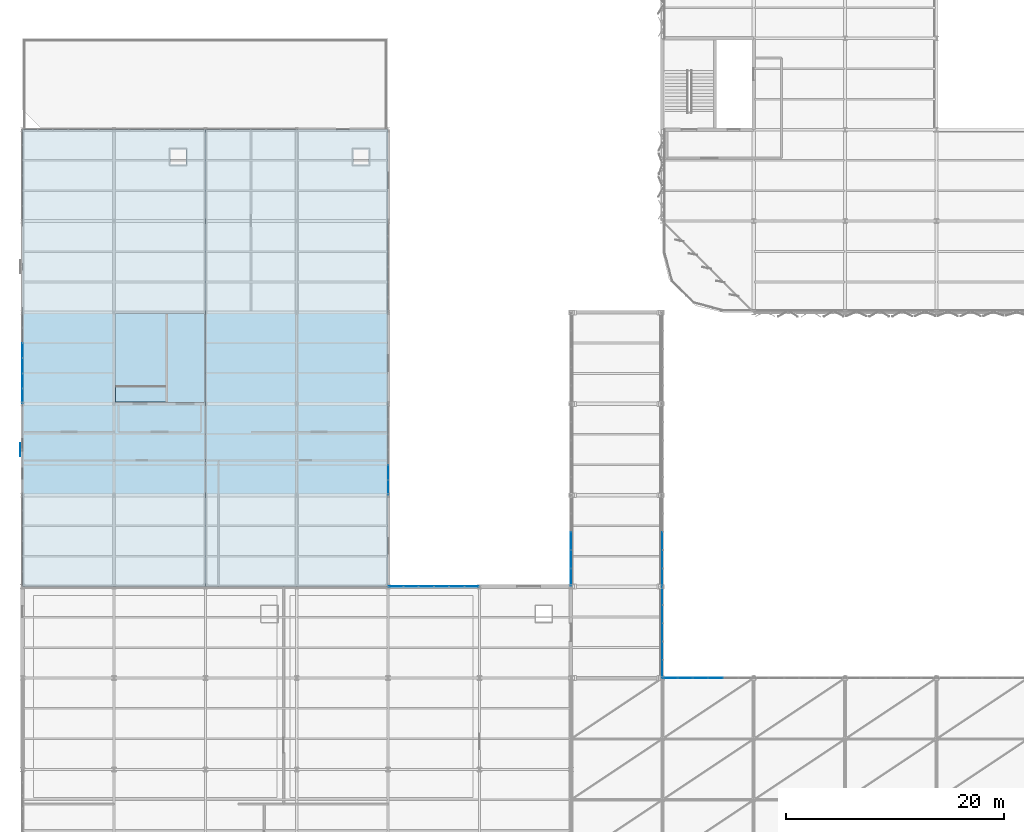
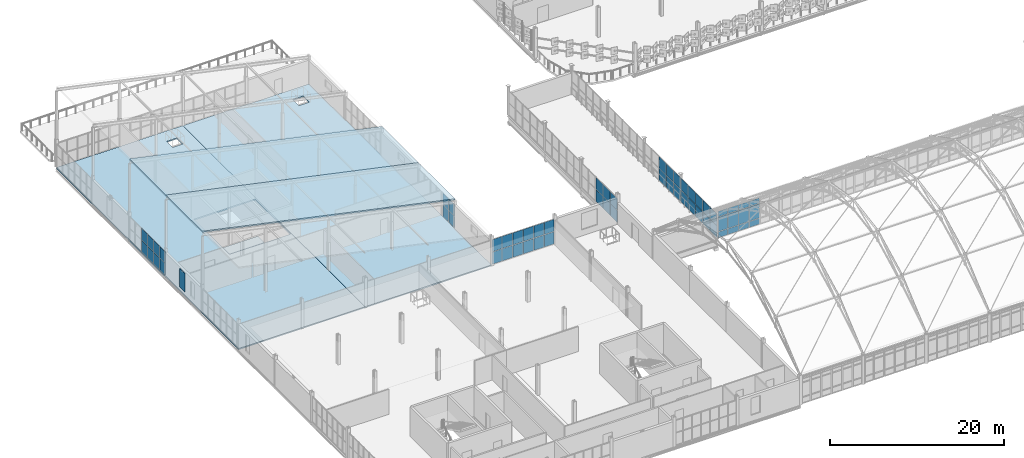
# One storey, part 136 of 184: 59 plates, 5 slabs, 7 elements without a shape of their own.
"""IFC4 building model written with IfcOpenShell, lengths in metres."""

from ifc_helpers import new_model, si_unit, direction, frame, origin, origin_2d, place, context, subcontext, project, spatial, polyline, rectangle, outline, extrude, material, layer, layer_set, type_object, element, aggregate, save


model = new_model("IFC4")

# Units and contexts
model_context = context("Model", 3, precision=1e-05, world=origin(), true_north=direction((0.0, 1.0)))
body_context = subcontext(model_context, "Body", "Model", "MODEL_VIEW")
ifc_project = project(units=[si_unit("LENGTHUNIT", "METRE"), si_unit("AREAUNIT", "SQUARE_METRE"), si_unit("VOLUMEUNIT", "CUBIC_METRE"), si_unit("PLANEANGLEUNIT", "RADIAN"), si_unit("MASSUNIT", "GRAM", prefix="KILO")], contexts=[model_context])

# Site, building, storey
site_placement = place(None, origin())
site = spatial("IfcSite", under=ifc_project, at=site_placement, CompositionType="ELEMENT")
building_placement = place(site_placement, origin())
building = spatial("IfcBuilding", under=site, at=building_placement, Name="Qalvenar Corner Mobility Hub", CompositionType="ELEMENT")
storey_placement = place(building_placement, frame((0.0, 0.0, 9.0)))
storey = spatial("IfcBuildingStorey", under=building, at=storey_placement, Name="L02", CompositionType="ELEMENT", Elevation=9.0)

# Curtain wall, plates
ifc_material_1 = material(Name="Anodised Aluminium and Low-E Glazing", Category="aluminium")
ifc_layer_1 = layer(ifc_material_1, 0.14990234375)
ifc_layer_set_1 = layer_set([ifc_layer_1], Name="Anodised Aluminium and Low-E Glazing")
curtain_wall_type_1 = type_object("IfcCurtainWallType", Name="CW-CIV-84X40", PredefinedType="NOTDEFINED", material=ifc_layer_set_1)
curtain_wall_1_placement = place(storey_placement, origin())
curtain_wall_1 = element("IfcCurtainWall", 1, at=curtain_wall_1_placement, inside=storey, type_object=curtain_wall_type_1, Name="Glazed Curtain Wall CW-V3-L02-N4", PredefinedType="NOTDEFINED")
ifc_material_2 = material(Name="Solar-Control Low-E Double Glazing", Category="glass")
ifc_layer_2 = layer(ifc_material_2, 0.028076171875)
ifc_layer_set_2 = layer_set([ifc_layer_2], Name="Solar-Control Low-E Double Glazing")
plate_type_1 = type_object("IfcPlateType", Name="PLT-CWP-GLZ1", PredefinedType="CURTAIN_PANEL", material=ifc_layer_set_2)
plate_1_placement = place(storey_placement, frame((41.284912109375, 42.0, 0.05517578125), z_axis=(0.0, 0.0, 1.0), x_axis=(-1.0, 0.0, 0.0)))
plate_1 = element("IfcPlate", 2, at=plate_1_placement, type_object=plate_type_1, Name="CW-05 panel 1.1", PredefinedType="CURTAIN_PANEL", context=body_context, shape_type="SweptSolid", body=[
    extrude(rectangle(XDim=1.31005859375, YDim=0.028076171875, at=origin_2d()), origin(), (0.0, 0.0, 1.0), 1.702392578125),
])
plate_2_placement = place(storey_placement, frame((41.284912109375, 42.0, 1.8125), z_axis=(0.0, 0.0, 1.0), x_axis=(-1.0, 0.0, 0.0)))
plate_2 = element("IfcPlate", 3, at=plate_2_placement, type_object=plate_type_1, Name="CW-05 panel 1.2", PredefinedType="CURTAIN_PANEL", context=body_context, shape_type="SweptSolid", body=[
    extrude(rectangle(XDim=1.31005859375, YDim=0.028076171875, at=origin_2d()), origin(), (0.0, 0.0, 1.0), 1.702392578125),
])
plate_3_placement = place(storey_placement, frame((39.89990234375, 42.0, 0.05517578125), z_axis=(0.0, 0.0, 1.0), x_axis=(-1.0, 0.0, 0.0)))
plate_3 = element("IfcPlate", 4, at=plate_3_placement, type_object=plate_type_1, Name="CW-05 panel 2.1", PredefinedType="CURTAIN_PANEL", context=body_context, shape_type="SweptSolid", body=[
    extrude(rectangle(XDim=1.340087890625, YDim=0.028076171875, at=origin_2d()), origin(), (0.0, 0.0, 1.0), 1.702392578125),
])
plate_4_placement = place(storey_placement, frame((39.89990234375, 42.0, 1.8125), z_axis=(0.0, 0.0, 1.0), x_axis=(-1.0, 0.0, 0.0)))
plate_4 = element("IfcPlate", 5, at=plate_4_placement, type_object=plate_type_1, Name="CW-05 panel 2.2", PredefinedType="CURTAIN_PANEL", context=body_context, shape_type="SweptSolid", body=[
    extrude(rectangle(XDim=1.340087890625, YDim=0.028076171875, at=origin_2d()), origin(), (0.0, 0.0, 1.0), 1.702392578125),
])
plate_5_placement = place(storey_placement, frame((38.5, 42.0, 0.05517578125), z_axis=(0.0, 0.0, 1.0), x_axis=(-1.0, 0.0, 0.0)))
plate_5 = element("IfcPlate", 6, at=plate_5_placement, type_object=plate_type_1, Name="CW-05 panel 3.1", PredefinedType="CURTAIN_PANEL", context=body_context, shape_type="SweptSolid", body=[
    extrude(rectangle(XDim=1.340087890625, YDim=0.028076171875, at=origin_2d()), origin(), (0.0, 0.0, 1.0), 1.702392578125),
])
plate_6_placement = place(storey_placement, frame((38.5, 42.0, 1.8125), z_axis=(0.0, 0.0, 1.0), x_axis=(-1.0, 0.0, 0.0)))
plate_6 = element("IfcPlate", 7, at=plate_6_placement, type_object=plate_type_1, Name="CW-05 panel 3.2", PredefinedType="CURTAIN_PANEL", context=body_context, shape_type="SweptSolid", body=[
    extrude(rectangle(XDim=1.340087890625, YDim=0.028076171875, at=origin_2d()), origin(), (0.0, 0.0, 1.0), 1.702392578125),
])
plate_7_placement = place(storey_placement, frame((37.10009765625, 42.0, 0.05517578125), z_axis=(0.0, 0.0, 1.0), x_axis=(-1.0, 0.0, 0.0)))
plate_7 = element("IfcPlate", 8, at=plate_7_placement, type_object=plate_type_1, Name="CW-05 panel 4.1", PredefinedType="CURTAIN_PANEL", context=body_context, shape_type="SweptSolid", body=[
    extrude(rectangle(XDim=1.340087890625, YDim=0.028076171875, at=origin_2d()), origin(), (0.0, 0.0, 1.0), 1.702392578125),
])
plate_8_placement = place(storey_placement, frame((37.10009765625, 42.0, 1.8125), z_axis=(0.0, 0.0, 1.0), x_axis=(-1.0, 0.0, 0.0)))
plate_8 = element("IfcPlate", 9, at=plate_8_placement, type_object=plate_type_1, Name="CW-05 panel 4.2", PredefinedType="CURTAIN_PANEL", context=body_context, shape_type="SweptSolid", body=[
    extrude(rectangle(XDim=1.340087890625, YDim=0.028076171875, at=origin_2d()), origin(), (0.0, 0.0, 1.0), 1.702392578125),
])
plate_9_placement = place(storey_placement, frame((35.699951171875, 42.0, 0.05517578125), z_axis=(0.0, 0.0, 1.0), x_axis=(-1.0, 0.0, 0.0)))
plate_9 = element("IfcPlate", 10, at=plate_9_placement, type_object=plate_type_1, Name="CW-05 panel 5.1", PredefinedType="CURTAIN_PANEL", context=body_context, shape_type="SweptSolid", body=[
    extrude(rectangle(XDim=1.340087890625, YDim=0.028076171875, at=origin_2d()), origin(), (0.0, 0.0, 1.0), 1.702392578125),
])
plate_10_placement = place(storey_placement, frame((35.699951171875, 42.0, 1.8125), z_axis=(0.0, 0.0, 1.0), x_axis=(-1.0, 0.0, 0.0)))
plate_10 = element("IfcPlate", 11, at=plate_10_placement, type_object=plate_type_1, Name="CW-05 panel 5.2", PredefinedType="CURTAIN_PANEL", context=body_context, shape_type="SweptSolid", body=[
    extrude(rectangle(XDim=1.340087890625, YDim=0.028076171875, at=origin_2d()), origin(), (0.0, 0.0, 1.0), 1.702392578125),
])
plate_11_placement = place(storey_placement, frame((34.31494140625, 42.0, 0.05517578125), z_axis=(0.0, 0.0, 1.0), x_axis=(-1.0, 0.0, 0.0)))
plate_11 = element("IfcPlate", 12, at=plate_11_placement, type_object=plate_type_1, Name="CW-05 panel 6.1", PredefinedType="CURTAIN_PANEL", context=body_context, shape_type="SweptSolid", body=[
    extrude(rectangle(XDim=1.31005859375, YDim=0.028076171875, at=origin_2d()), origin(), (0.0, 0.0, 1.0), 1.702392578125),
])
plate_12_placement = place(storey_placement, frame((34.31494140625, 42.0, 1.8125), z_axis=(0.0, 0.0, 1.0), x_axis=(-1.0, 0.0, 0.0)))
plate_12 = element("IfcPlate", 13, at=plate_12_placement, type_object=plate_type_1, Name="CW-05 panel 6.2", PredefinedType="CURTAIN_PANEL", context=body_context, shape_type="SweptSolid", body=[
    extrude(rectangle(XDim=1.31005859375, YDim=0.028076171875, at=origin_2d()), origin(), (0.0, 0.0, 1.0), 1.702392578125),
])
aggregate(curtain_wall_1, [plate_1, plate_2, plate_3, plate_4, plate_5, plate_6, plate_7, plate_8, plate_9, plate_10, plate_11, plate_12])

ifc_layer_3 = layer(ifc_material_1, 0.179931640625)
ifc_layer_set_3 = layer_set([ifc_layer_3], Name="Anodised Aluminium and Low-E Glazing")
curtain_wall_type_2 = type_object("IfcCurtainWallType", Name="CW-CONC-84X42", PredefinedType="NOTDEFINED", material=ifc_layer_set_3)
curtain_wall_2_placement = place(storey_placement, origin())
curtain_wall_2 = element("IfcCurtainWall", 14, at=curtain_wall_2_placement, inside=storey, type_object=curtain_wall_type_2, Name="Glazed Curtain Wall CW-V1-L02-N1", PredefinedType="NOTDEFINED")
plate_13_placement = place(storey_placement, frame((63.699951171875, 33.60009765625, 0.05517578125), z_axis=(0.0, 0.0, 1.0), x_axis=(-1.0, 0.0, 0.0)))
plate_13 = element("IfcPlate", 15, at=plate_13_placement, type_object=plate_type_1, Name="CW-02 panel 3.1", PredefinedType="CURTAIN_PANEL", context=body_context, shape_type="SweptSolid", body=[
    extrude(rectangle(XDim=1.340087890625, YDim=0.028076171875, at=origin_2d()), origin(), (0.0, 0.0, 1.0), 0.8173828125),
])
plate_14_placement = place(storey_placement, frame((63.699951171875, 33.60009765625, 0.927490234375), z_axis=(0.0, 0.0, 1.0), x_axis=(-1.0, 0.0, 0.0)))
plate_14 = element("IfcPlate", 16, at=plate_14_placement, type_object=plate_type_1, Name="CW-02 panel 3.2", PredefinedType="CURTAIN_PANEL", context=body_context, shape_type="SweptSolid", body=[
    extrude(rectangle(XDim=1.340087890625, YDim=0.028076171875, at=origin_2d()), origin(), (0.0, 0.0, 1.0), 1.9951171875),
])
plate_15_placement = place(storey_placement, frame((63.699951171875, 33.60009765625, 2.9775390625), z_axis=(0.0, 0.0, 1.0), x_axis=(-1.0, 0.0, 0.0)))
plate_15 = element("IfcPlate", 17, at=plate_15_placement, type_object=plate_type_1, Name="CW-02 panel 3.3", PredefinedType="CURTAIN_PANEL", context=body_context, shape_type="SweptSolid", body=[
    extrude(rectangle(XDim=1.340087890625, YDim=0.028076171875, at=origin_2d()), origin(), (0.0, 0.0, 1.0), 0.767578125),
])
plate_16_placement = place(storey_placement, frame((62.300048828125, 33.60009765625, 0.05517578125), z_axis=(0.0, 0.0, 1.0), x_axis=(-1.0, 0.0, 0.0)))
plate_16 = element("IfcPlate", 18, at=plate_16_placement, type_object=plate_type_1, Name="CW-02 panel 4.1", PredefinedType="CURTAIN_PANEL", context=body_context, shape_type="SweptSolid", body=[
    extrude(rectangle(XDim=1.340087890625, YDim=0.028076171875, at=origin_2d()), origin(), (0.0, 0.0, 1.0), 0.8173828125),
])
plate_17_placement = place(storey_placement, frame((62.300048828125, 33.60009765625, 0.927490234375), z_axis=(0.0, 0.0, 1.0), x_axis=(-1.0, 0.0, 0.0)))
plate_17 = element("IfcPlate", 19, at=plate_17_placement, type_object=plate_type_1, Name="CW-02 panel 4.2", PredefinedType="CURTAIN_PANEL", context=body_context, shape_type="SweptSolid", body=[
    extrude(rectangle(XDim=1.340087890625, YDim=0.028076171875, at=origin_2d()), origin(), (0.0, 0.0, 1.0), 1.9951171875),
])
plate_18_placement = place(storey_placement, frame((62.300048828125, 33.60009765625, 2.9775390625), z_axis=(0.0, 0.0, 1.0), x_axis=(-1.0, 0.0, 0.0)))
plate_18 = element("IfcPlate", 20, at=plate_18_placement, type_object=plate_type_1, Name="CW-02 panel 4.3", PredefinedType="CURTAIN_PANEL", context=body_context, shape_type="SweptSolid", body=[
    extrude(rectangle(XDim=1.340087890625, YDim=0.028076171875, at=origin_2d()), origin(), (0.0, 0.0, 1.0), 0.767578125),
])
plate_19_placement = place(storey_placement, frame((60.89990234375, 33.60009765625, 0.05517578125), z_axis=(0.0, 0.0, 1.0), x_axis=(-1.0, 0.0, 0.0)))
plate_19 = element("IfcPlate", 21, at=plate_19_placement, type_object=plate_type_1, Name="CW-02 panel 5.1", PredefinedType="CURTAIN_PANEL", context=body_context, shape_type="SweptSolid", body=[
    extrude(rectangle(XDim=1.340087890625, YDim=0.028076171875, at=origin_2d()), origin(), (0.0, 0.0, 1.0), 0.8173828125),
])
plate_20_placement = place(storey_placement, frame((60.89990234375, 33.60009765625, 0.927490234375), z_axis=(0.0, 0.0, 1.0), x_axis=(-1.0, 0.0, 0.0)))
plate_20 = element("IfcPlate", 22, at=plate_20_placement, type_object=plate_type_1, Name="CW-02 panel 5.2", PredefinedType="CURTAIN_PANEL", context=body_context, shape_type="SweptSolid", body=[
    extrude(rectangle(XDim=1.340087890625, YDim=0.028076171875, at=origin_2d()), origin(), (0.0, 0.0, 1.0), 1.9951171875),
])
plate_21_placement = place(storey_placement, frame((60.89990234375, 33.60009765625, 2.9775390625), z_axis=(0.0, 0.0, 1.0), x_axis=(-1.0, 0.0, 0.0)))
plate_21 = element("IfcPlate", 23, at=plate_21_placement, type_object=plate_type_1, Name="CW-02 panel 5.3", PredefinedType="CURTAIN_PANEL", context=body_context, shape_type="SweptSolid", body=[
    extrude(rectangle(XDim=1.340087890625, YDim=0.028076171875, at=origin_2d()), origin(), (0.0, 0.0, 1.0), 0.767578125),
])
plate_22_placement = place(storey_placement, frame((59.514892578125, 33.60009765625, 0.05517578125), z_axis=(0.0, 0.0, 1.0), x_axis=(-1.0, 0.0, 0.0)))
plate_22 = element("IfcPlate", 24, at=plate_22_placement, type_object=plate_type_1, Name="CW-02 panel 6.1", PredefinedType="CURTAIN_PANEL", context=body_context, shape_type="SweptSolid", body=[
    extrude(rectangle(XDim=1.31005859375, YDim=0.028076171875, at=origin_2d()), origin(), (0.0, 0.0, 1.0), 0.8173828125),
])
plate_23_placement = place(storey_placement, frame((59.514892578125, 33.60009765625, 0.927490234375), z_axis=(0.0, 0.0, 1.0), x_axis=(-1.0, 0.0, 0.0)))
plate_23 = element("IfcPlate", 25, at=plate_23_placement, type_object=plate_type_1, Name="CW-02 panel 6.2", PredefinedType="CURTAIN_PANEL", context=body_context, shape_type="SweptSolid", body=[
    extrude(rectangle(XDim=1.31005859375, YDim=0.028076171875, at=origin_2d()), origin(), (0.0, 0.0, 1.0), 1.9951171875),
])
plate_24_placement = place(storey_placement, frame((59.514892578125, 33.60009765625, 2.9775390625), z_axis=(0.0, 0.0, 1.0), x_axis=(-1.0, 0.0, 0.0)))
plate_24 = element("IfcPlate", 26, at=plate_24_placement, type_object=plate_type_1, Name="CW-02 panel 6.3", PredefinedType="CURTAIN_PANEL", context=body_context, shape_type="SweptSolid", body=[
    extrude(rectangle(XDim=1.31005859375, YDim=0.028076171875, at=origin_2d()), origin(), (0.0, 0.0, 1.0), 0.767578125),
])
aggregate(curtain_wall_2, [plate_13, plate_14, plate_15, plate_16, plate_17, plate_18, plate_19, plate_20, plate_21, plate_22, plate_23, plate_24])

ifc_layer_4 = layer(ifc_material_1, 0.14990234375)
ifc_layer_set_4 = layer_set([ifc_layer_4], Name="Anodised Aluminium and Low-E Glazing")
curtain_wall_type_3 = type_object("IfcCurtainWallType", Name="CW-CYC-84X39", PredefinedType="NOTDEFINED", material=ifc_layer_set_4)
curtain_wall_3_placement = place(storey_placement, origin())
curtain_wall_3 = element("IfcCurtainWall", 27, at=curtain_wall_3_placement, inside=storey, type_object=curtain_wall_type_3, Name="Glazed Curtain Wall CW-V5-L02-W2", PredefinedType="NOTDEFINED")
plate_25_placement = place(storey_placement, frame((0.0, 63.699951171875, 0.054931640625), z_axis=(0.0, 0.0, 1.0), x_axis=(0.0, -1.0, 0.0)))
plate_25 = element("IfcPlate", 28, at=plate_25_placement, type_object=plate_type_1, Name="CW-08 panel 3.1", PredefinedType="CURTAIN_PANEL", context=body_context, shape_type="SweptSolid", body=[
    extrude(rectangle(XDim=1.340087890625, YDim=0.028076171875, at=origin_2d()), origin(), (0.0, 0.0, 1.0), 1.62255859375),
])
plate_26_placement = place(storey_placement, frame((0.0, 63.699951171875, 1.732421875), z_axis=(0.0, 0.0, 1.0), x_axis=(0.0, -1.0, 0.0)))
plate_26 = element("IfcPlate", 29, at=plate_26_placement, type_object=plate_type_1, Name="CW-08 panel 3.2", PredefinedType="CURTAIN_PANEL", context=body_context, shape_type="SweptSolid", body=[
    extrude(rectangle(XDim=1.340087890625, YDim=0.028076171875, at=origin_2d()), origin(), (0.0, 0.0, 1.0), 1.62255859375),
])
plate_27_placement = place(storey_placement, frame((0.0, 62.300048828125, 0.054931640625), z_axis=(0.0, 0.0, 1.0), x_axis=(0.0, -1.0, 0.0)))
plate_27 = element("IfcPlate", 30, at=plate_27_placement, type_object=plate_type_1, Name="CW-08 panel 4.1", PredefinedType="CURTAIN_PANEL", context=body_context, shape_type="SweptSolid", body=[
    extrude(rectangle(XDim=1.340087890625, YDim=0.028076171875, at=origin_2d()), origin(), (0.0, 0.0, 1.0), 1.62255859375),
])
plate_28_placement = place(storey_placement, frame((0.0, 62.300048828125, 1.732421875), z_axis=(0.0, 0.0, 1.0), x_axis=(0.0, -1.0, 0.0)))
plate_28 = element("IfcPlate", 31, at=plate_28_placement, type_object=plate_type_1, Name="CW-08 panel 4.2", PredefinedType="CURTAIN_PANEL", context=body_context, shape_type="SweptSolid", body=[
    extrude(rectangle(XDim=1.340087890625, YDim=0.028076171875, at=origin_2d()), origin(), (0.0, 0.0, 1.0), 1.62255859375),
])
plate_29_placement = place(storey_placement, frame((0.0, 60.89990234375, 0.054931640625), z_axis=(0.0, 0.0, 1.0), x_axis=(0.0, -1.0, 0.0)))
plate_29 = element("IfcPlate", 32, at=plate_29_placement, type_object=plate_type_1, Name="CW-08 panel 5.1", PredefinedType="CURTAIN_PANEL", context=body_context, shape_type="SweptSolid", body=[
    extrude(rectangle(XDim=1.340087890625, YDim=0.028076171875, at=origin_2d()), origin(), (0.0, 0.0, 1.0), 1.62255859375),
])
plate_30_placement = place(storey_placement, frame((0.0, 60.89990234375, 1.732421875), z_axis=(0.0, 0.0, 1.0), x_axis=(0.0, -1.0, 0.0)))
plate_30 = element("IfcPlate", 33, at=plate_30_placement, type_object=plate_type_1, Name="CW-08 panel 5.2", PredefinedType="CURTAIN_PANEL", context=body_context, shape_type="SweptSolid", body=[
    extrude(rectangle(XDim=1.340087890625, YDim=0.028076171875, at=origin_2d()), origin(), (0.0, 0.0, 1.0), 1.62255859375),
])
plate_31_placement = place(storey_placement, frame((0.0, 59.514892578125, 0.054931640625), z_axis=(0.0, 0.0, 1.0), x_axis=(0.0, -1.0, 0.0)))
plate_31 = element("IfcPlate", 34, at=plate_31_placement, type_object=plate_type_1, Name="CW-08 panel 6.1", PredefinedType="CURTAIN_PANEL", context=body_context, shape_type="SweptSolid", body=[
    extrude(rectangle(XDim=1.31005859375, YDim=0.028076171875, at=origin_2d()), origin(), (0.0, 0.0, 1.0), 1.62255859375),
])
plate_32_placement = place(storey_placement, frame((0.0, 59.514892578125, 1.732421875), z_axis=(0.0, 0.0, 1.0), x_axis=(0.0, -1.0, 0.0)))
plate_32 = element("IfcPlate", 35, at=plate_32_placement, type_object=plate_type_1, Name="CW-08 panel 6.2", PredefinedType="CURTAIN_PANEL", context=body_context, shape_type="SweptSolid", body=[
    extrude(rectangle(XDim=1.31005859375, YDim=0.028076171875, at=origin_2d()), origin(), (0.0, 0.0, 1.0), 1.62255859375),
])
aggregate(curtain_wall_3, [plate_25, plate_26, plate_27, plate_28, plate_29, plate_30, plate_31, plate_32])

curtain_wall_4_placement = place(storey_placement, origin())
curtain_wall_4 = element("IfcCurtainWall", 36, at=curtain_wall_4_placement, inside=storey, type_object=curtain_wall_type_3, Name="Glazed Curtain Wall CW-V5-L02-E1", PredefinedType="NOTDEFINED")
plate_33_placement = place(storey_placement, frame((33.60009765625, 51.114990234375, 0.054931640625), z_axis=(0.0, 0.0, 1.0), x_axis=(0.0, 1.0, 0.0)))
plate_33 = element("IfcPlate", 37, at=plate_33_placement, type_object=plate_type_1, Name="CW-08 panel 1.1", PredefinedType="CURTAIN_PANEL", context=body_context, shape_type="SweptSolid", body=[
    extrude(rectangle(XDim=1.31005859375, YDim=0.028076171875, at=origin_2d()), origin(), (0.0, 0.0, 1.0), 1.62255859375),
])
plate_34_placement = place(storey_placement, frame((33.60009765625, 51.114990234375, 1.732421875), z_axis=(0.0, 0.0, 1.0), x_axis=(0.0, 1.0, 0.0)))
plate_34 = element("IfcPlate", 38, at=plate_34_placement, type_object=plate_type_1, Name="CW-08 panel 1.2", PredefinedType="CURTAIN_PANEL", context=body_context, shape_type="SweptSolid", body=[
    extrude(rectangle(XDim=1.31005859375, YDim=0.028076171875, at=origin_2d()), origin(), (0.0, 0.0, 1.0), 1.62255859375),
])
plate_35_placement = place(storey_placement, frame((33.60009765625, 52.5, 0.054931640625), z_axis=(0.0, 0.0, 1.0), x_axis=(0.0, 1.0, 0.0)))
plate_35 = element("IfcPlate", 39, at=plate_35_placement, type_object=plate_type_1, Name="CW-08 panel 2.1", PredefinedType="CURTAIN_PANEL", context=body_context, shape_type="SweptSolid", body=[
    extrude(rectangle(XDim=1.340087890625, YDim=0.028076171875, at=origin_2d()), origin(), (0.0, 0.0, 1.0), 1.62255859375),
])
plate_36_placement = place(storey_placement, frame((33.60009765625, 52.5, 1.732421875), z_axis=(0.0, 0.0, 1.0), x_axis=(0.0, 1.0, 0.0)))
plate_36 = element("IfcPlate", 40, at=plate_36_placement, type_object=plate_type_1, Name="CW-08 panel 2.2", PredefinedType="CURTAIN_PANEL", context=body_context, shape_type="SweptSolid", body=[
    extrude(rectangle(XDim=1.340087890625, YDim=0.028076171875, at=origin_2d()), origin(), (0.0, 0.0, 1.0), 1.62255859375),
])
aggregate(curtain_wall_4, [plate_33, plate_34, plate_35, plate_36])

ifc_layer_5 = layer(ifc_material_1, 0.1201171875)
ifc_layer_set_5 = layer_set([ifc_layer_5], Name="Anodised Aluminium and Low-E Glazing")
curtain_wall_type_4 = type_object("IfcCurtainWallType", Name="CW-BRG-84X28", PredefinedType="NOTDEFINED", material=ifc_layer_set_5)
curtain_wall_5_placement = place(storey_placement, origin())
curtain_wall_5 = element("IfcCurtainWall", 41, at=curtain_wall_5_placement, inside=storey, type_object=curtain_wall_type_4, Name="Glazed Curtain Wall CW-BRG-L02-E0", PredefinedType="NOTDEFINED")
plate_37_placement = place(storey_placement, frame((58.800048828125, 34.455078125, 0.054931640625), z_axis=(0.0, 0.0, 1.0), x_axis=(0.0, 1.0, 0.0)))
plate_37 = element("IfcPlate", 42, at=plate_37_placement, type_object=plate_type_1, Name="CW-11 panel 1.1", PredefinedType="CURTAIN_PANEL", context=body_context, shape_type="SweptSolid", body=[
    extrude(rectangle(XDim=1.590087890625, YDim=0.028076171875, at=origin_2d()), origin(), (0.0, 0.0, 1.0), 1.642578125),
])
plate_38_placement = place(storey_placement, frame((58.800048828125, 34.455078125, 1.75244140625), z_axis=(0.0, 0.0, 1.0), x_axis=(0.0, 1.0, 0.0)))
plate_38 = element("IfcPlate", 43, at=plate_38_placement, type_object=plate_type_1, Name="CW-11 panel 1.2", PredefinedType="CURTAIN_PANEL", context=body_context, shape_type="SweptSolid", body=[
    extrude(rectangle(XDim=1.590087890625, YDim=0.028076171875, at=origin_2d()), origin(), (0.0, 0.0, 1.0), 1.642578125),
])
plate_39_placement = place(storey_placement, frame((58.800048828125, 36.1201171875, 0.054931640625), z_axis=(0.0, 0.0, 1.0), x_axis=(0.0, 1.0, 0.0)))
plate_39 = element("IfcPlate", 44, at=plate_39_placement, type_object=plate_type_1, Name="CW-11 panel 2.1", PredefinedType="CURTAIN_PANEL", context=body_context, shape_type="SweptSolid", body=[
    extrude(rectangle(XDim=1.6201171875, YDim=0.028076171875, at=origin_2d()), origin(), (0.0, 0.0, 1.0), 1.642578125),
])
plate_40_placement = place(storey_placement, frame((58.800048828125, 36.1201171875, 1.75244140625), z_axis=(0.0, 0.0, 1.0), x_axis=(0.0, 1.0, 0.0)))
plate_40 = element("IfcPlate", 45, at=plate_40_placement, type_object=plate_type_1, Name="CW-11 panel 2.2", PredefinedType="CURTAIN_PANEL", context=body_context, shape_type="SweptSolid", body=[
    extrude(rectangle(XDim=1.6201171875, YDim=0.028076171875, at=origin_2d()), origin(), (0.0, 0.0, 1.0), 1.642578125),
])
plate_41_placement = place(storey_placement, frame((58.800048828125, 37.800048828125, 0.054931640625), z_axis=(0.0, 0.0, 1.0), x_axis=(0.0, 1.0, 0.0)))
plate_41 = element("IfcPlate", 46, at=plate_41_placement, type_object=plate_type_1, Name="CW-11 panel 3.1", PredefinedType="CURTAIN_PANEL", context=body_context, shape_type="SweptSolid", body=[
    extrude(rectangle(XDim=1.6201171875, YDim=0.028076171875, at=origin_2d()), origin(), (0.0, 0.0, 1.0), 1.642578125),
])
plate_42_placement = place(storey_placement, frame((58.800048828125, 37.800048828125, 1.75244140625), z_axis=(0.0, 0.0, 1.0), x_axis=(0.0, 1.0, 0.0)))
plate_42 = element("IfcPlate", 47, at=plate_42_placement, type_object=plate_type_1, Name="CW-11 panel 3.2", PredefinedType="CURTAIN_PANEL", context=body_context, shape_type="SweptSolid", body=[
    extrude(rectangle(XDim=1.6201171875, YDim=0.028076171875, at=origin_2d()), origin(), (0.0, 0.0, 1.0), 1.642578125),
])
plate_43_placement = place(storey_placement, frame((58.800048828125, 39.47998046875, 0.054931640625), z_axis=(0.0, 0.0, 1.0), x_axis=(0.0, 1.0, 0.0)))
plate_43 = element("IfcPlate", 48, at=plate_43_placement, type_object=plate_type_1, Name="CW-11 panel 4.1", PredefinedType="CURTAIN_PANEL", context=body_context, shape_type="SweptSolid", body=[
    extrude(rectangle(XDim=1.6201171875, YDim=0.028076171875, at=origin_2d()), origin(), (0.0, 0.0, 1.0), 1.642578125),
])
plate_44_placement = place(storey_placement, frame((58.800048828125, 39.47998046875, 1.75244140625), z_axis=(0.0, 0.0, 1.0), x_axis=(0.0, 1.0, 0.0)))
plate_44 = element("IfcPlate", 49, at=plate_44_placement, type_object=plate_type_1, Name="CW-11 panel 4.2", PredefinedType="CURTAIN_PANEL", context=body_context, shape_type="SweptSolid", body=[
    extrude(rectangle(XDim=1.6201171875, YDim=0.028076171875, at=origin_2d()), origin(), (0.0, 0.0, 1.0), 1.642578125),
])
plate_45_placement = place(storey_placement, frame((58.800048828125, 41.14501953125, 0.054931640625), z_axis=(0.0, 0.0, 1.0), x_axis=(0.0, 1.0, 0.0)))
plate_45 = element("IfcPlate", 50, at=plate_45_placement, type_object=plate_type_1, Name="CW-11 panel 5.1", PredefinedType="CURTAIN_PANEL", context=body_context, shape_type="SweptSolid", body=[
    extrude(rectangle(XDim=1.590087890625, YDim=0.028076171875, at=origin_2d()), origin(), (0.0, 0.0, 1.0), 1.642578125),
])
plate_46_placement = place(storey_placement, frame((58.800048828125, 41.14501953125, 1.75244140625), z_axis=(0.0, 0.0, 1.0), x_axis=(0.0, 1.0, 0.0)))
plate_46 = element("IfcPlate", 51, at=plate_46_placement, type_object=plate_type_1, Name="CW-11 panel 5.2", PredefinedType="CURTAIN_PANEL", context=body_context, shape_type="SweptSolid", body=[
    extrude(rectangle(XDim=1.590087890625, YDim=0.028076171875, at=origin_2d()), origin(), (0.0, 0.0, 1.0), 1.642578125),
])
aggregate(curtain_wall_5, [plate_37, plate_38, plate_39, plate_40, plate_41, plate_42, plate_43, plate_44, plate_45, plate_46])

curtain_wall_6_placement = place(storey_placement, origin())
curtain_wall_6 = element("IfcCurtainWall", 52, at=curtain_wall_6_placement, inside=storey, type_object=curtain_wall_type_4, Name="Glazed Curtain Wall CW-BRG-L02-W1", PredefinedType="NOTDEFINED")
plate_47_placement = place(storey_placement, frame((50.39990234375, 46.199951171875, 0.054931640625), z_axis=(0.0, 0.0, 1.0), x_axis=(0.0, -1.0, 0.0)))
plate_47 = element("IfcPlate", 53, at=plate_47_placement, type_object=plate_type_1, Name="CW-11 panel 3.1", PredefinedType="CURTAIN_PANEL", context=body_context, shape_type="SweptSolid", body=[
    extrude(rectangle(XDim=1.6201171875, YDim=0.028076171875, at=origin_2d()), origin(), (0.0, 0.0, 1.0), 1.642578125),
])
plate_48_placement = place(storey_placement, frame((50.39990234375, 46.199951171875, 1.75244140625), z_axis=(0.0, 0.0, 1.0), x_axis=(0.0, -1.0, 0.0)))
plate_48 = element("IfcPlate", 54, at=plate_48_placement, type_object=plate_type_1, Name="CW-11 panel 3.2", PredefinedType="CURTAIN_PANEL", context=body_context, shape_type="SweptSolid", body=[
    extrude(rectangle(XDim=1.6201171875, YDim=0.028076171875, at=origin_2d()), origin(), (0.0, 0.0, 1.0), 1.642578125),
])
plate_49_placement = place(storey_placement, frame((50.39990234375, 44.52001953125, 0.054931640625), z_axis=(0.0, 0.0, 1.0), x_axis=(0.0, -1.0, 0.0)))
plate_49 = element("IfcPlate", 55, at=plate_49_placement, type_object=plate_type_1, Name="CW-11 panel 4.1", PredefinedType="CURTAIN_PANEL", context=body_context, shape_type="SweptSolid", body=[
    extrude(rectangle(XDim=1.6201171875, YDim=0.028076171875, at=origin_2d()), origin(), (0.0, 0.0, 1.0), 1.642578125),
])
plate_50_placement = place(storey_placement, frame((50.39990234375, 44.52001953125, 1.75244140625), z_axis=(0.0, 0.0, 1.0), x_axis=(0.0, -1.0, 0.0)))
plate_50 = element("IfcPlate", 56, at=plate_50_placement, type_object=plate_type_1, Name="CW-11 panel 4.2", PredefinedType="CURTAIN_PANEL", context=body_context, shape_type="SweptSolid", body=[
    extrude(rectangle(XDim=1.6201171875, YDim=0.028076171875, at=origin_2d()), origin(), (0.0, 0.0, 1.0), 1.642578125),
])
plate_51_placement = place(storey_placement, frame((50.39990234375, 42.85498046875, 0.054931640625), z_axis=(0.0, 0.0, 1.0), x_axis=(0.0, -1.0, 0.0)))
plate_51 = element("IfcPlate", 57, at=plate_51_placement, type_object=plate_type_1, Name="CW-11 panel 5.1", PredefinedType="CURTAIN_PANEL", context=body_context, shape_type="SweptSolid", body=[
    extrude(rectangle(XDim=1.590087890625, YDim=0.028076171875, at=origin_2d()), origin(), (0.0, 0.0, 1.0), 1.642578125),
])
plate_52_placement = place(storey_placement, frame((50.39990234375, 42.85498046875, 1.75244140625), z_axis=(0.0, 0.0, 1.0), x_axis=(0.0, -1.0, 0.0)))
plate_52 = element("IfcPlate", 58, at=plate_52_placement, type_object=plate_type_1, Name="CW-11 panel 5.2", PredefinedType="CURTAIN_PANEL", context=body_context, shape_type="SweptSolid", body=[
    extrude(rectangle(XDim=1.590087890625, YDim=0.028076171875, at=origin_2d()), origin(), (0.0, 0.0, 1.0), 1.642578125),
])
aggregate(curtain_wall_6, [plate_47, plate_48, plate_49, plate_50, plate_51, plate_52])

curtain_wall_7_placement = place(storey_placement, origin())
curtain_wall_7 = element("IfcCurtainWall", 59, at=curtain_wall_7_placement, inside=storey, type_object=curtain_wall_type_4, Name="Glazed Curtain Wall CW-BRG-L02-E1", PredefinedType="NOTDEFINED")
plate_53_placement = place(storey_placement, frame((58.800048828125, 42.85498046875, 0.054931640625), z_axis=(0.0, 0.0, 1.0), x_axis=(0.0, 1.0, 0.0)))
plate_53 = element("IfcPlate", 60, at=plate_53_placement, type_object=plate_type_1, Name="CW-11 panel 1.1", PredefinedType="CURTAIN_PANEL", context=body_context, shape_type="SweptSolid", body=[
    extrude(rectangle(XDim=1.590087890625, YDim=0.028076171875, at=origin_2d()), origin(), (0.0, 0.0, 1.0), 1.642578125),
])
plate_54_placement = place(storey_placement, frame((58.800048828125, 42.85498046875, 1.75244140625), z_axis=(0.0, 0.0, 1.0), x_axis=(0.0, 1.0, 0.0)))
plate_54 = element("IfcPlate", 61, at=plate_54_placement, type_object=plate_type_1, Name="CW-11 panel 1.2", PredefinedType="CURTAIN_PANEL", context=body_context, shape_type="SweptSolid", body=[
    extrude(rectangle(XDim=1.590087890625, YDim=0.028076171875, at=origin_2d()), origin(), (0.0, 0.0, 1.0), 1.642578125),
])
plate_55_placement = place(storey_placement, frame((58.800048828125, 44.52001953125, 0.054931640625), z_axis=(0.0, 0.0, 1.0), x_axis=(0.0, 1.0, 0.0)))
plate_55 = element("IfcPlate", 62, at=plate_55_placement, type_object=plate_type_1, Name="CW-11 panel 2.1", PredefinedType="CURTAIN_PANEL", context=body_context, shape_type="SweptSolid", body=[
    extrude(rectangle(XDim=1.6201171875, YDim=0.028076171875, at=origin_2d()), origin(), (0.0, 0.0, 1.0), 1.642578125),
])
plate_56_placement = place(storey_placement, frame((58.800048828125, 44.52001953125, 1.75244140625), z_axis=(0.0, 0.0, 1.0), x_axis=(0.0, 1.0, 0.0)))
plate_56 = element("IfcPlate", 63, at=plate_56_placement, type_object=plate_type_1, Name="CW-11 panel 2.2", PredefinedType="CURTAIN_PANEL", context=body_context, shape_type="SweptSolid", body=[
    extrude(rectangle(XDim=1.6201171875, YDim=0.028076171875, at=origin_2d()), origin(), (0.0, 0.0, 1.0), 1.642578125),
])
plate_57_placement = place(storey_placement, frame((58.800048828125, 46.199951171875, 0.054931640625), z_axis=(0.0, 0.0, 1.0), x_axis=(0.0, 1.0, 0.0)))
plate_57 = element("IfcPlate", 64, at=plate_57_placement, type_object=plate_type_1, Name="CW-11 panel 3.1", PredefinedType="CURTAIN_PANEL", context=body_context, shape_type="SweptSolid", body=[
    extrude(rectangle(XDim=1.6201171875, YDim=0.028076171875, at=origin_2d()), origin(), (0.0, 0.0, 1.0), 1.642578125),
])
plate_58_placement = place(storey_placement, frame((58.800048828125, 46.199951171875, 1.75244140625), z_axis=(0.0, 0.0, 1.0), x_axis=(0.0, 1.0, 0.0)))
plate_58 = element("IfcPlate", 65, at=plate_58_placement, type_object=plate_type_1, Name="CW-11 panel 3.2", PredefinedType="CURTAIN_PANEL", context=body_context, shape_type="SweptSolid", body=[
    extrude(rectangle(XDim=1.6201171875, YDim=0.028076171875, at=origin_2d()), origin(), (0.0, 0.0, 1.0), 1.642578125),
])
aggregate(curtain_wall_7, [plate_53, plate_54, plate_55, plate_56, plate_57, plate_58])

# Plate
ifc_material_3 = material(Name="Perforated Turquoise-Patina Aluminium", Category="aluminium")
ifc_layer_6 = layer(ifc_material_3, 0.028076171875)
ifc_layer_set_6 = layer_set([ifc_layer_6], Name="Perforated Turquoise-Patina Aluminium")
plate_type_2 = type_object("IfcPlateType", Name="PLT-SCR-CYC", PredefinedType="SHEET", material=ifc_layer_set_6)
plate_59_placement = place(storey_placement, frame((-0.219970703125, 54.60009765625, 0.75), z_axis=(0.0, 0.0, 1.0), x_axis=(0.0, 1.0, 0.0)))
element("IfcPlate", 66, at=plate_59_placement, inside=storey, type_object=plate_type_2, Name="Cycle Hall Sun Screen SC2-L02-1", PredefinedType="SHEET", context=body_context, shape_type="SweptSolid", body=[
    extrude(rectangle(XDim=1.199951171875, YDim=0.028076171875, at=origin_2d()), origin(), (0.0, 0.0, 1.0), 2.60009765625),
])

# Slabs
ifc_material_4 = material(Name="Concrete C35/45", Category="concrete")
ifc_layer_7 = layer(ifc_material_4, 0.179931640625)
ifc_layer_set_7 = layer_set([ifc_layer_7], Name="Concrete C35/45")
slab_type_1 = type_object("IfcSlabType", Name="SLB-COMP180", PredefinedType="FLOOR", material=ifc_layer_set_7)
slab_1_placement = place(storey_placement, frame((0.0, 0.0, -0.179931640625)))
element("IfcSlab", 67, at=slab_1_placement, inside=storey, type_object=slab_type_1, Name="Composite Slab V5-A-L02", PredefinedType="FLOOR", context=body_context, shape_type="SweptSolid", body=[
    extrude(outline(polyline([(0.0, 42.0), (16.800048828125, 42.0), (16.800048828125, 84.0), (0.0, 84.0), (0.0, 42.0)]), holes=[polyline([(8.530029296875, 58.929931640625), (16.669921875, 58.929931640625), (16.669921875, 67.070068359375), (8.530029296875, 67.070068359375), (8.530029296875, 58.929931640625)]), polyline([(13.60009765625, 80.800048828125), (15.0, 80.800048828125), (15.0, 82.199951171875), (13.60009765625, 82.199951171875), (13.60009765625, 80.800048828125)])]), origin(), (0.0, 0.0, 1.0), 0.179931640625),
])
slab_2_placement = place(storey_placement, frame((0.0, 0.0, -0.179931640625)))
element("IfcSlab", 68, at=slab_2_placement, inside=storey, type_object=slab_type_1, Name="Composite Slab V5-B-L02", PredefinedType="FLOOR", context=body_context, shape_type="SweptSolid", body=[
    extrude(outline(polyline([(16.800048828125, 42.0), (33.60009765625, 42.0), (33.60009765625, 84.0), (16.800048828125, 84.0), (16.800048828125, 42.0)]), holes=[polyline([(30.39990234375, 80.800048828125), (31.800048828125, 80.800048828125), (31.800048828125, 82.199951171875), (30.39990234375, 82.199951171875), (30.39990234375, 80.800048828125)])]), origin(), (0.0, 0.0, 1.0), 0.179931640625),
])
ifc_layer_8 = layer(ifc_material_4, 0.175048828125)
ifc_layer_set_8 = layer_set([ifc_layer_8], Name="Concrete C35/45")
slab_type_2 = type_object("IfcSlabType", Name="SLB-LND200", PredefinedType="LANDING", material=ifc_layer_set_8)
slab_3_placement = place(storey_placement, frame((0.0, 0.0, -0.175048828125)))
element("IfcSlab", 69, at=slab_3_placement, inside=storey, type_object=slab_type_2, Name="Core Stair Arrival Landing C5-L02", PredefinedType="LANDING", context=body_context, shape_type="SweptSolid", body=[
    extrude(outline(polyline([(8.550048828125, 58.949951171875), (13.169921875, 58.949951171875), (13.169921875, 60.449951171875), (8.550048828125, 60.449951171875), (8.550048828125, 58.949951171875)])), origin(), (0.0, 0.0, 1.0), 0.175048828125),
])
ifc_material_5 = material(Name="Concrete C35/45", Category="concrete")
ifc_layer_9 = layer(ifc_material_5, 0.169921875)
ifc_layer_set_9 = layer_set([ifc_layer_9], Name="Concrete C35/45")
slab_type_3 = type_object("IfcSlabType", Name="SLB-ROOF170", PredefinedType="ROOF", material=ifc_layer_set_9)
slab_4_placement = place(storey_placement, frame((0.0, 50.39990234375, 11.39990234375), z_axis=(0.209527147912, 0.0, 0.977802829965), x_axis=(0.977802829965, 0.0, -0.209527147912)))
element("IfcSlab", 70, at=slab_4_placement, inside=storey, type_object=slab_type_3, Name="Bicycle Hall Mono-Pitch Roof V5-2", PredefinedType="ROOF", context=body_context, shape_type="SweptSolid", body=[
    extrude(outline(polyline([(0.0, 0.0), (34.3628558095354, 0.0), (34.3628558095354, 8.400146484375), (0.0, 8.400146484375), (0.0, 0.0)])), origin(), (0.0, 0.0, -1.0), 0.169921875),
])
slab_5_placement = place(storey_placement, frame((0.0, 58.800048828125, 11.39990234375), z_axis=(0.209527147912, 0.0, 0.977802829965), x_axis=(0.977802829965, 0.0, -0.209527147912)))
element("IfcSlab", 71, at=slab_5_placement, inside=storey, type_object=slab_type_3, Name="Bicycle Hall Mono-Pitch Roof V5-3", PredefinedType="ROOF", context=body_context, shape_type="SweptSolid", body=[
    extrude(outline(polyline([(0.0, 0.0), (34.3628558095354, 0.0), (34.3628558095354, 8.399902343749998), (0.0, 8.399902343749998), (0.0, 0.0)])), origin(), (0.0, 0.0, -1.0), 0.169921875),
])

save(model, "model.ifc")
